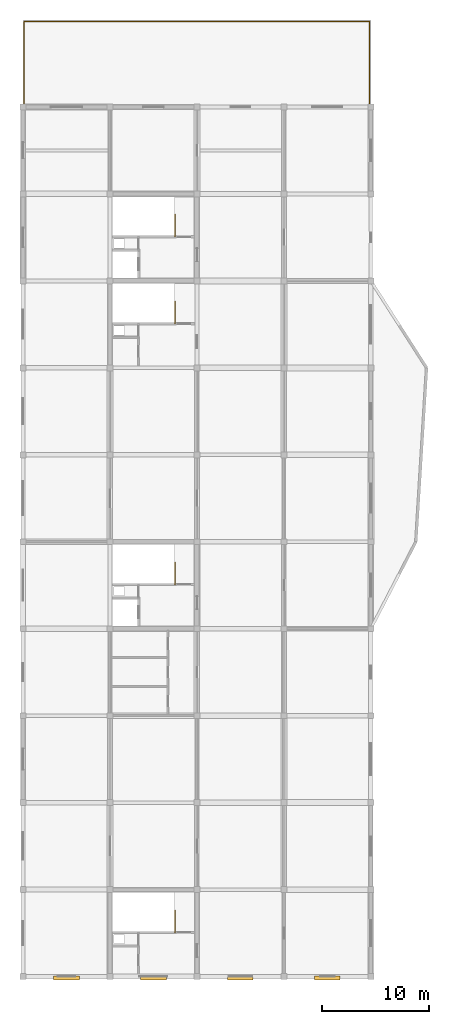
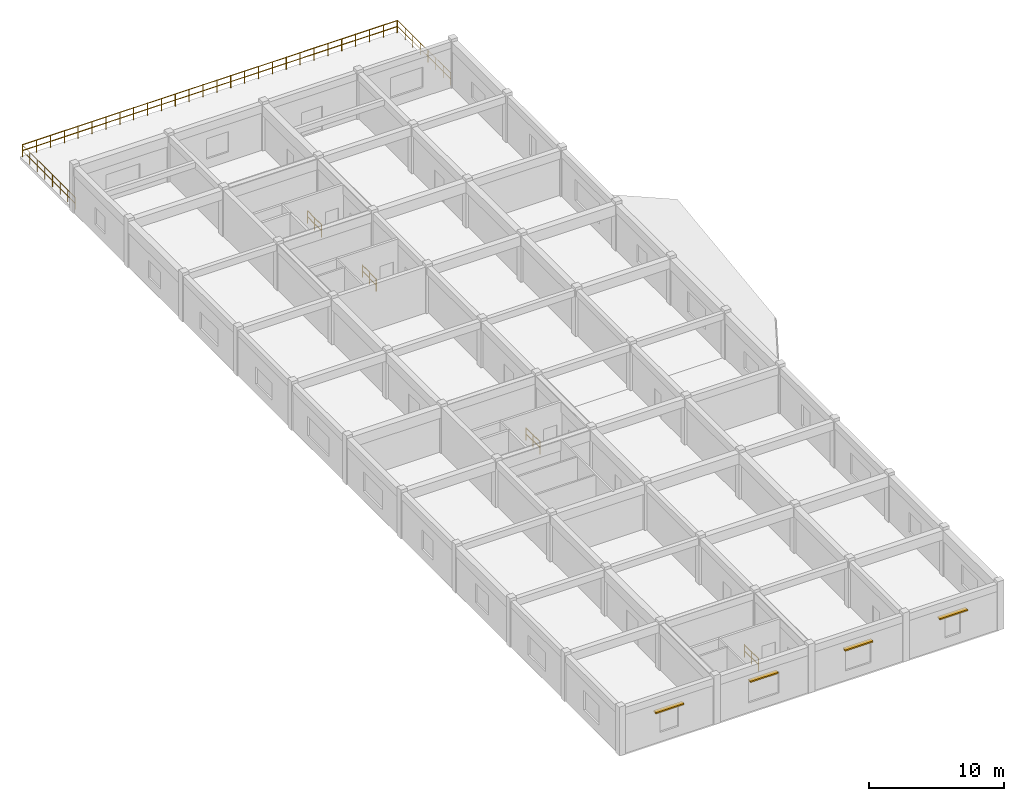
# One storey, part 7 of 7: 7 railings, 4 shading devices.
"""IFC4 building model written with IfcOpenShell, lengths in metres."""

from ifc_helpers import new_model, si_unit, direction, frame, origin, origin_2d, place, context, subcontext, project, spatial, rectangle, circle, extrude, material, type_object, element, save


model = new_model("IFC4")

# Units and contexts
model_context = context("Model", 3, precision=1e-05, world=origin(), true_north=direction((0.0, 1.0)))
body_context = subcontext(model_context, "Body", "Model", "MODEL_VIEW")
ifc_project = project(units=[si_unit("LENGTHUNIT", "METRE"), si_unit("AREAUNIT", "SQUARE_METRE"), si_unit("VOLUMEUNIT", "CUBIC_METRE"), si_unit("PLANEANGLEUNIT", "RADIAN"), si_unit("MASSUNIT", "GRAM", prefix="KILO")], contexts=[model_context])

# Site, building, storey
site_placement = place(None, origin())
site = spatial("IfcSite", under=ifc_project, at=site_placement, CompositionType="ELEMENT")
building_placement = place(site_placement, origin())
building = spatial("IfcBuilding", under=site, at=building_placement, Name="Vaudrelin Polytechnic", CompositionType="ELEMENT")
storey_placement = place(building_placement, frame((0.0, 0.0, 31.7900390625)))
storey = spatial("IfcBuildingStorey", under=building, at=storey_placement, Name="L07", CompositionType="ELEMENT", Elevation=31.7900390625)

# Railings
ifc_material_1 = material(Name="Stainless steel AISI 316L", Category="steel")
railing_type_1 = type_object("IfcRailingType", Name="ENV-GR-TER", PredefinedType="GUARDRAIL", material=ifc_material_1)
railing_1_placement = place(storey_placement, frame((137.820068359375, 113.52001953125, 0.0)))
element("IfcRailing", 1, at=railing_1_placement, inside=storey, type_object=railing_type_1, Name="Terrace guardrail GRD-T7-W", PredefinedType="GUARDRAIL", context=body_context, shape_type="SweptSolid", body=[
    extrude(circle(Radius=0.02392578125, at=origin_2d()), frame((0.0, 0.023193359375, 1.09619140625), z_axis=(0.0, 1.0, 0.0), x_axis=(-1.0, 0.0, 0.0)), (0.0, 0.0, 1.0), 7.813720703125),
    extrude(circle(Radius=0.02392578125, at=origin_2d()), frame((0.0, 0.023193359375, 0.56005859375), z_axis=(0.0, 1.0, 0.0), x_axis=(-1.0, 0.0, 0.0)), (0.0, 0.0, 1.0), 7.813720703125),
    extrude(circle(Radius=0.02099609375, at=origin_2d()), origin(), (0.0, 0.0, 1.0), 1.1201171875),
    extrude(circle(Radius=0.02099609375, at=origin_2d()), frame((0.0, 1.122802734375, 0.0)), (0.0, 0.0, 1.0), 1.1201171875),
    extrude(circle(Radius=0.02099609375, at=origin_2d()), frame((0.0, 2.24560546875, 0.0)), (0.0, 0.0, 1.0), 1.1201171875),
    extrude(circle(Radius=0.02099609375, at=origin_2d()), frame((0.0, 3.368408203125, 0.0)), (0.0, 0.0, 1.0), 1.1201171875),
    extrude(circle(Radius=0.02099609375, at=origin_2d()), frame((0.0, 4.491455078125, 0.0)), (0.0, 0.0, 1.0), 1.1201171875),
    extrude(circle(Radius=0.02099609375, at=origin_2d()), frame((0.0, 5.6142578125, 0.0)), (0.0, 0.0, 1.0), 1.1201171875),
    extrude(circle(Radius=0.02099609375, at=origin_2d()), frame((0.0, 6.737060546875, 0.0)), (0.0, 0.0, 1.0), 1.1201171875),
    extrude(circle(Radius=0.02099609375, at=origin_2d()), frame((0.0, 7.85986328125, 0.0)), (0.0, 0.0, 1.0), 1.1201171875),
])
railing_2_placement = place(storey_placement, frame((137.860107421875, 121.3798828125, 0.0)))
element("IfcRailing", 2, at=railing_2_placement, inside=storey, type_object=railing_type_1, Name="Terrace guardrail GRD-T7-N", PredefinedType="GUARDRAIL", context=body_context, shape_type="SweptSolid", body=[
    extrude(circle(Radius=0.02392578125, at=origin_2d()), frame((0.023193359375, 0.0, 1.09619140625), z_axis=(1.0, 0.0, 0.0), x_axis=(0.0, 1.0, 0.0)), (0.0, 0.0, 1.0), 32.03369140625),
    extrude(circle(Radius=0.02392578125, at=origin_2d()), frame((0.023193359375, 0.0, 0.56005859375), z_axis=(1.0, 0.0, 0.0), x_axis=(0.0, 1.0, 0.0)), (0.0, 0.0, 1.0), 32.03369140625),
    extrude(circle(Radius=0.02099609375, at=origin_2d()), origin(), (0.0, 0.0, 1.0), 1.1201171875),
    extrude(circle(Radius=0.02099609375, at=origin_2d()), frame((1.188232421875, 0.0, 0.0)), (0.0, 0.0, 1.0), 1.1201171875),
    extrude(circle(Radius=0.02099609375, at=origin_2d()), frame((2.376220703125, 0.0, 0.0)), (0.0, 0.0, 1.0), 1.1201171875),
    extrude(circle(Radius=0.02099609375, at=origin_2d()), frame((3.564453125, 0.0, 0.0)), (0.0, 0.0, 1.0), 1.1201171875),
    extrude(circle(Radius=0.02099609375, at=origin_2d()), frame((4.752685546875, 0.0, 0.0)), (0.0, 0.0, 1.0), 1.1201171875),
    extrude(circle(Radius=0.02099609375, at=origin_2d()), frame((5.940673828125, 0.0, 0.0)), (0.0, 0.0, 1.0), 1.1201171875),
    extrude(circle(Radius=0.02099609375, at=origin_2d()), frame((7.12890625, 0.0, 0.0)), (0.0, 0.0, 1.0), 1.1201171875),
    extrude(circle(Radius=0.02099609375, at=origin_2d()), frame((8.31689453125, 0.0, 0.0)), (0.0, 0.0, 1.0), 1.1201171875),
    extrude(circle(Radius=0.02099609375, at=origin_2d()), frame((9.505126953125, 0.0, 0.0)), (0.0, 0.0, 1.0), 1.1201171875),
    extrude(circle(Radius=0.02099609375, at=origin_2d()), frame((10.693359375, 0.0, 0.0)), (0.0, 0.0, 1.0), 1.1201171875),
    extrude(circle(Radius=0.02099609375, at=origin_2d()), frame((11.88134765625, 0.0, 0.0)), (0.0, 0.0, 1.0), 1.1201171875),
    extrude(circle(Radius=0.02099609375, at=origin_2d()), frame((13.069580078125, 0.0, 0.0)), (0.0, 0.0, 1.0), 1.1201171875),
    extrude(circle(Radius=0.02099609375, at=origin_2d()), frame((14.2578125, 0.0, 0.0)), (0.0, 0.0, 1.0), 1.1201171875),
    extrude(circle(Radius=0.02099609375, at=origin_2d()), frame((15.44580078125, 0.0, 0.0)), (0.0, 0.0, 1.0), 1.1201171875),
    extrude(circle(Radius=0.02099609375, at=origin_2d()), frame((16.634033203125, 0.0, 0.0)), (0.0, 0.0, 1.0), 1.1201171875),
    extrude(circle(Radius=0.02099609375, at=origin_2d()), frame((17.822021484375, 0.0, 0.0)), (0.0, 0.0, 1.0), 1.1201171875),
    extrude(circle(Radius=0.02099609375, at=origin_2d()), frame((19.01025390625, 0.0, 0.0)), (0.0, 0.0, 1.0), 1.1201171875),
    extrude(circle(Radius=0.02099609375, at=origin_2d()), frame((20.198486328125, 0.0, 0.0)), (0.0, 0.0, 1.0), 1.1201171875),
    extrude(circle(Radius=0.02099609375, at=origin_2d()), frame((21.386474609375, 0.0, 0.0)), (0.0, 0.0, 1.0), 1.1201171875),
    extrude(circle(Radius=0.02099609375, at=origin_2d()), frame((22.57470703125, 0.0, 0.0)), (0.0, 0.0, 1.0), 1.1201171875),
    extrude(circle(Radius=0.02099609375, at=origin_2d()), frame((23.762939453125, 0.0, 0.0)), (0.0, 0.0, 1.0), 1.1201171875),
    extrude(circle(Radius=0.02099609375, at=origin_2d()), frame((24.950927734375, 0.0, 0.0)), (0.0, 0.0, 1.0), 1.1201171875),
    extrude(circle(Radius=0.02099609375, at=origin_2d()), frame((26.13916015625, 0.0, 0.0)), (0.0, 0.0, 1.0), 1.1201171875),
    extrude(circle(Radius=0.02099609375, at=origin_2d()), frame((27.3271484375, 0.0, 0.0)), (0.0, 0.0, 1.0), 1.1201171875),
    extrude(circle(Radius=0.02099609375, at=origin_2d()), frame((28.515380859375, 0.0, 0.0)), (0.0, 0.0, 1.0), 1.1201171875),
    extrude(circle(Radius=0.02099609375, at=origin_2d()), frame((29.70361328125, 0.0, 0.0)), (0.0, 0.0, 1.0), 1.1201171875),
    extrude(circle(Radius=0.02099609375, at=origin_2d()), frame((30.8916015625, 0.0, 0.0)), (0.0, 0.0, 1.0), 1.1201171875),
    extrude(circle(Radius=0.02099609375, at=origin_2d()), frame((32.079833984375, 0.0, 0.0)), (0.0, 0.0, 1.0), 1.1201171875),
])
railing_3_placement = place(storey_placement, frame((169.97998046875, 113.52001953125, 0.0)))
element("IfcRailing", 3, at=railing_3_placement, inside=storey, type_object=railing_type_1, Name="Terrace guardrail GRD-T7-E", PredefinedType="GUARDRAIL", context=body_context, shape_type="SweptSolid", body=[
    extrude(circle(Radius=0.02392578125, at=origin_2d()), frame((0.0, 0.023193359375, 1.09619140625), z_axis=(0.0, 1.0, 0.0), x_axis=(-1.0, 0.0, 0.0)), (0.0, 0.0, 1.0), 7.813720703125),
    extrude(circle(Radius=0.02392578125, at=origin_2d()), frame((0.0, 0.023193359375, 0.56005859375), z_axis=(0.0, 1.0, 0.0), x_axis=(-1.0, 0.0, 0.0)), (0.0, 0.0, 1.0), 7.813720703125),
    extrude(circle(Radius=0.02099609375, at=origin_2d()), origin(), (0.0, 0.0, 1.0), 1.1201171875),
    extrude(circle(Radius=0.02099609375, at=origin_2d()), frame((0.0, 1.122802734375, 0.0)), (0.0, 0.0, 1.0), 1.1201171875),
    extrude(circle(Radius=0.02099609375, at=origin_2d()), frame((0.0, 2.24560546875, 0.0)), (0.0, 0.0, 1.0), 1.1201171875),
    extrude(circle(Radius=0.02099609375, at=origin_2d()), frame((0.0, 3.368408203125, 0.0)), (0.0, 0.0, 1.0), 1.1201171875),
    extrude(circle(Radius=0.02099609375, at=origin_2d()), frame((0.0, 4.491455078125, 0.0)), (0.0, 0.0, 1.0), 1.1201171875),
    extrude(circle(Radius=0.02099609375, at=origin_2d()), frame((0.0, 5.6142578125, 0.0)), (0.0, 0.0, 1.0), 1.1201171875),
    extrude(circle(Radius=0.02099609375, at=origin_2d()), frame((0.0, 6.737060546875, 0.0)), (0.0, 0.0, 1.0), 1.1201171875),
    extrude(circle(Radius=0.02099609375, at=origin_2d()), frame((0.0, 7.85986328125, 0.0)), (0.0, 0.0, 1.0), 1.1201171875),
])

# Shading devices
ifc_material_2 = material(Name="Extruded aluminium AA 6063-T6", Category="aluminium")
shading_device_type = type_object("IfcShadingDeviceType", Name="ENV-SF-LVR1", PredefinedType="JALOUSIE", material=ifc_material_2)
for number, where, z_axis, x_axis, name in (
    (4, (141.75, 32.260009765625, 2.739990234375), (0.0, 0.0, 1.0), (1.0, 0.0, 0.0), "Horizontal sun-control louvre LVR-01"),
    (5, (149.85009765625, 32.260009765625, 2.739990234375), (0.0, 0.0, 1.0), (1.0, 0.0, 0.0), "Horizontal sun-control louvre LVR-02"),
    (6, (157.949951171875, 32.260009765625, 2.739990234375), (0.0, 0.0, 1.0), (1.0, 0.0, 0.0), "Horizontal sun-control louvre LVR-03"),
    (7, (166.050048828125, 32.260009765625, 2.739990234375), (0.0, 0.0, 1.0), (1.0, 0.0, 0.0), "Horizontal sun-control louvre LVR-04"),
):
    element("IfcShadingDevice", number, at=place(storey_placement, frame(where, z_axis=z_axis, x_axis=x_axis)), inside=storey, type_object=shading_device_type, Name=name, PredefinedType="JALOUSIE", context=body_context, shape_type="SweptSolid", body=[
        extrude(rectangle(XDim=2.39990234375, YDim=0.35009765625, at=origin_2d()), origin(), (0.0, 0.0, 1.0), 0.1201171875),
    ])

# Railings
ifc_material_3 = material(Name="Brushed stainless steel AISI 304", Category="steel")
railing_type_2 = type_object("IfcRailingType", Name="RAL-GR-INT", PredefinedType="GUARDRAIL", material=ifc_material_3)
railing_4_placement = place(storey_placement, frame((151.8798828125, 101.31005859375, 0.0)))
element("IfcRailing", 8, at=railing_4_placement, inside=storey, type_object=railing_type_2, Name="ST-06-L06 upper well guardrail", PredefinedType="GUARDRAIL", context=body_context, shape_type="SweptSolid", body=[
    extrude(circle(Radius=0.02392578125, at=origin_2d()), frame((0.0, 0.023193359375, 1.09619140625), z_axis=(0.0, 1.0, 0.0), x_axis=(-1.0, 0.0, 0.0)), (0.0, 0.0, 1.0), 2.023681640625),
    extrude(circle(Radius=0.02392578125, at=origin_2d()), frame((0.0, 0.023193359375, 0.56005859375), z_axis=(0.0, 1.0, 0.0), x_axis=(-1.0, 0.0, 0.0)), (0.0, 0.0, 1.0), 2.023681640625),
    extrude(circle(Radius=0.02099609375, at=origin_2d()), origin(), (0.0, 0.0, 1.0), 1.1201171875),
    extrude(circle(Radius=0.02099609375, at=origin_2d()), frame((0.0, 1.034912109375, 0.0)), (0.0, 0.0, 1.0), 1.1201171875),
    extrude(circle(Radius=0.02099609375, at=origin_2d()), frame((0.0, 2.06982421875, 0.0)), (0.0, 0.0, 1.0), 1.1201171875),
])
for number, where, name in (
    (9, (151.8798828125, 68.909912109375, 0.0), "ST-07-L06 upper well guardrail"),
    (10, (151.8798828125, 36.510009765625, 0.0), "ST-08-L06 upper well guardrail"),
    (11, (151.8798828125, 93.2099609375, 0.0), "ST-13-L06 upper well guardrail"),
):
    element("IfcRailing", number, at=place(storey_placement, frame(where)), inside=storey, type_object=railing_type_2, Name=name, PredefinedType="GUARDRAIL", context=body_context, shape_type="SweptSolid", body=[
        extrude(circle(Radius=0.02392578125, at=origin_2d()), frame((0.0, 0.023193359375, 1.09619140625), z_axis=(0.0, 1.0, 0.0), x_axis=(-1.0, 0.0, 0.0)), (0.0, 0.0, 1.0), 2.02392578125),
        extrude(circle(Radius=0.02392578125, at=origin_2d()), frame((0.0, 0.023193359375, 0.56005859375), z_axis=(0.0, 1.0, 0.0), x_axis=(-1.0, 0.0, 0.0)), (0.0, 0.0, 1.0), 2.02392578125),
        extrude(circle(Radius=0.02099609375, at=origin_2d()), origin(), (0.0, 0.0, 1.0), 1.1201171875),
        extrude(circle(Radius=0.02099609375, at=origin_2d()), frame((0.0, 1.03515625, 0.0)), (0.0, 0.0, 1.0), 1.1201171875),
        extrude(circle(Radius=0.02099609375, at=origin_2d()), frame((0.0, 2.070068359375, 0.0)), (0.0, 0.0, 1.0), 1.1201171875),
    ])

save(model, "model.ifc")
